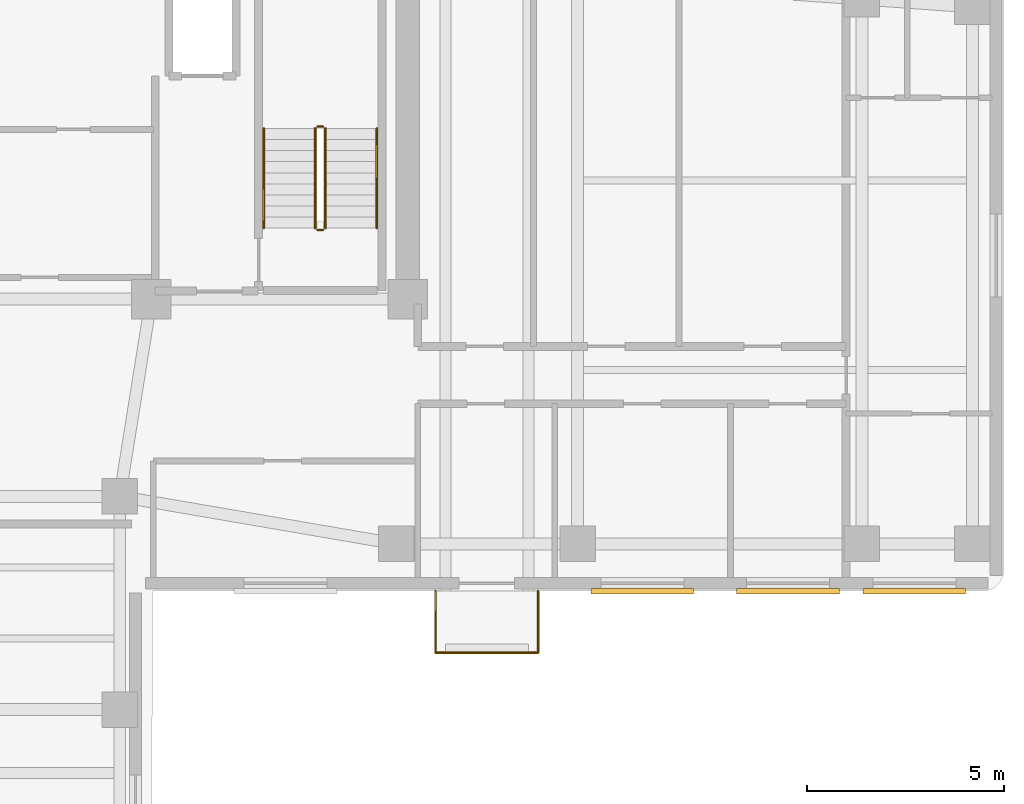
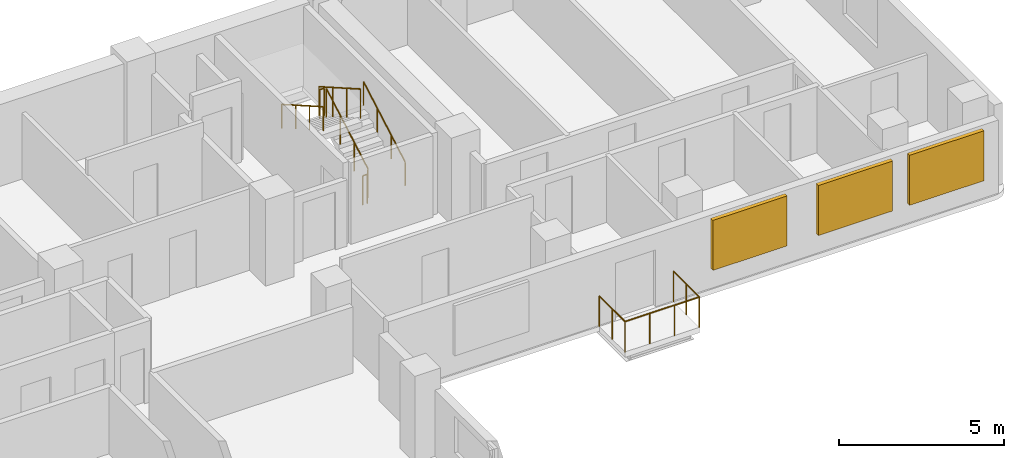
# One storey, part 7 of 7: 9 railings, 3 shading devices.
"""IFC4 building model written with IfcOpenShell, lengths in metres."""

from ifc_helpers import new_model, si_unit, direction, frame, origin, origin_2d, place, context, subcontext, project, spatial, rectangle, circle, extrude, material, layer, layer_set, type_object, element, save


model = new_model("IFC4")

# Units and contexts
model_context = context("Model", 3, precision=1e-05, world=origin(), true_north=direction((0.0, 1.0)))
body_context = subcontext(model_context, "Body", "Model", "MODEL_VIEW")
ifc_project = project(units=[si_unit("LENGTHUNIT", "METRE"), si_unit("AREAUNIT", "SQUARE_METRE"), si_unit("VOLUMEUNIT", "CUBIC_METRE"), si_unit("PLANEANGLEUNIT", "RADIAN"), si_unit("MASSUNIT", "GRAM", prefix="KILO")], contexts=[model_context])

# Site, building, storey
site_placement = place(None, origin())
site = spatial("IfcSite", under=ifc_project, at=site_placement, CompositionType="ELEMENT")
building_placement = place(site_placement, origin())
building = spatial("IfcBuilding", under=site, at=building_placement, Name="Kuzgunbayir Cultural Tower", CompositionType="ELEMENT")
storey_placement = place(building_placement, frame((0.0, 0.0, 172.800048828125)))
storey = spatial("IfcBuildingStorey", under=building, at=storey_placement, Name="L50", CompositionType="ELEMENT", Elevation=172.800048828125)

# Railings
ifc_material_1 = material(Name="Laminated Glass and Stainless Steel", Category="steel")
ifc_layer_1 = layer(ifc_material_1, 0.080078125)
ifc_layer_set_1 = layer_set([ifc_layer_1], Name="Laminated Glass and Stainless Steel")
railing_type_1 = type_object("IfcRailingType", Name="RLG-BAL-115", PredefinedType="BALUSTRADE", material=ifc_layer_set_1)
railing_1_placement = place(storey_placement, frame((27.60009765625, 26.39990234375, 0.0)))
element("IfcRailing", 1, at=railing_1_placement, inside=storey, type_object=railing_type_1, Name="L50 Balcony Guard BAL-L50-WB1 Segment 1", PredefinedType="BALUSTRADE", context=body_context, shape_type="SweptSolid", body=[
    extrude(circle(Radius=0.02392578125, at=origin_2d()), frame((0.0, 0.0, 1.1259765625), z_axis=(0.0, -1.0, 0.0), x_axis=(1.0, 0.0, 0.0)), (0.0, 0.0, 1.0), 1.559814453125),
    extrude(circle(Radius=0.02099609375, at=origin_2d()), origin(), (0.0, 0.0, 1.0), 1.101806640625),
    extrude(circle(Radius=0.02099609375, at=origin_2d()), frame((0.0, -0.77978515625, 0.0)), (0.0, 0.0, 1.0), 1.101806640625),
    extrude(circle(Radius=0.02099609375, at=origin_2d()), frame((0.0, -1.559814453125, 0.0)), (0.0, 0.0, 1.0), 1.101806640625),
])
railing_2_placement = place(storey_placement, frame((27.60009765625, 24.840087890625, 0.0)))
element("IfcRailing", 2, at=railing_2_placement, inside=storey, type_object=railing_type_1, Name="L50 Balcony Guard BAL-L50-WB1 Segment 2", PredefinedType="BALUSTRADE", context=body_context, shape_type="SweptSolid", body=[
    extrude(circle(Radius=0.02392578125, at=origin_2d()), frame((0.0, 0.0, 1.1259765625), z_axis=(1.0, 0.0, 0.0), x_axis=(0.0, 1.0, 0.0)), (0.0, 0.0, 1.0), 2.599853515625),
    extrude(circle(Radius=0.02099609375, at=origin_2d()), origin(), (0.0, 0.0, 1.0), 1.101806640625),
    extrude(circle(Radius=0.02099609375, at=origin_2d()), frame((0.86669921875, 0.0, 0.0)), (0.0, 0.0, 1.0), 1.101806640625),
    extrude(circle(Radius=0.02099609375, at=origin_2d()), frame((1.733154296875, 0.0, 0.0)), (0.0, 0.0, 1.0), 1.101806640625),
    extrude(circle(Radius=0.02099609375, at=origin_2d()), frame((2.599853515625, 0.0, 0.0)), (0.0, 0.0, 1.0), 1.101806640625),
])
railing_3_placement = place(storey_placement, frame((30.199951171875, 24.840087890625, 0.0)))
element("IfcRailing", 3, at=railing_3_placement, inside=storey, type_object=railing_type_1, Name="L50 Balcony Guard BAL-L50-WB1 Segment 3", PredefinedType="BALUSTRADE", context=body_context, shape_type="SweptSolid", body=[
    extrude(circle(Radius=0.02392578125, at=origin_2d()), frame((0.0, 0.0, 1.1259765625), z_axis=(0.0, 1.0, 0.0), x_axis=(-1.0, 0.0, 0.0)), (0.0, 0.0, 1.0), 1.559814453125),
    extrude(circle(Radius=0.02099609375, at=origin_2d()), origin(), (0.0, 0.0, 1.0), 1.101806640625),
    extrude(circle(Radius=0.02099609375, at=origin_2d()), frame((0.0, 0.77978515625, 0.0)), (0.0, 0.0, 1.0), 1.101806640625),
    extrude(circle(Radius=0.02099609375, at=origin_2d()), frame((0.0, 1.559814453125, 0.0)), (0.0, 0.0, 1.0), 1.101806640625),
])
ifc_material_2 = material(Name="Brushed Stainless Steel", Category="steel")
ifc_layer_2 = layer(ifc_material_2, 0.050048828125)
ifc_layer_set_2 = layer_set([ifc_layer_2], Name="Brushed Stainless Steel")
railing_type_2 = type_object("IfcRailingType", Name="RLG-STAIR-HANDRAIL", PredefinedType="HANDRAIL", material=ifc_layer_set_2)
railing_4_placement = place(storey_placement, frame((26.110107421875, 35.60009765625, 0.159912109375)))
element("IfcRailing", 4, at=railing_4_placement, inside=storey, type_object=railing_type_2, Name="L50 ST-2 stair handrail 1", PredefinedType="HANDRAIL", context=body_context, shape_type="SweptSolid", body=[
    extrude(circle(Radius=0.02392578125, at=origin_2d()), frame((0.0, 0.0, 0.8759765625), z_axis=(0.0, 0.868253494771, 0.496120820787), x_axis=(-1.0, 0.0, 0.0)), (0.0, 0.0, 1.0), 2.90234375),
    extrude(circle(Radius=0.02099609375, at=origin_2d()), origin(), (0.0, 0.0, 1.0), 0.851806640625),
    extrude(circle(Radius=0.02099609375, at=origin_2d()), frame((0.0, 0.840087890625, 0.47998046875)), (0.0, 0.0, 1.0), 0.851806640625),
    extrude(circle(Radius=0.02099609375, at=origin_2d()), frame((0.0, 1.679931640625, 0.9599609375)), (0.0, 0.0, 1.0), 0.851806640625),
    extrude(circle(Radius=0.02099609375, at=origin_2d()), frame((0.0, 2.52001953125, 1.43994140625)), (0.0, 0.0, 1.0), 0.851806640625),
])
railing_5_placement = place(storey_placement, frame((23.25, 38.1201171875, 1.760009765625)))
element("IfcRailing", 5, at=railing_5_placement, inside=storey, type_object=railing_type_2, Name="L50 ST-2 stair handrail 2", PredefinedType="HANDRAIL", context=body_context, shape_type="SweptSolid", body=[
    extrude(circle(Radius=0.02392578125, at=origin_2d()), frame((0.0, 0.0, 0.8759765625), z_axis=(0.0, -0.868253494771, 0.496120820787), x_axis=(1.0, 0.0, 0.0)), (0.0, 0.0, 1.0), 2.90234375),
    extrude(circle(Radius=0.02099609375, at=origin_2d()), origin(), (0.0, 0.0, 1.0), 0.851806640625),
    extrude(circle(Radius=0.02099609375, at=origin_2d()), frame((0.0, -0.840087890625, 0.47998046875)), (0.0, 0.0, 1.0), 0.851806640625),
    extrude(circle(Radius=0.02099609375, at=origin_2d()), frame((0.0, -1.679931640625, 0.9599609375)), (0.0, 0.0, 1.0), 0.851806640625),
    extrude(circle(Radius=0.02099609375, at=origin_2d()), frame((0.0, -2.52001953125, 1.43994140625)), (0.0, 0.0, 1.0), 0.851806640625),
])
ifc_material_3 = material(Name="Painted Steel Balustrade", Category="steel")
ifc_layer_3 = layer(ifc_material_3, 0.06005859375)
ifc_layer_set_3 = layer_set([ifc_layer_3], Name="Painted Steel Balustrade")
railing_type_3 = type_object("IfcRailingType", Name="RLG-WELL-GUARD", PredefinedType="GUARDRAIL", material=ifc_layer_set_3)
railing_6_placement = place(storey_placement, frame((24.81005859375, 35.60009765625, 0.159912109375)))
element("IfcRailing", 6, at=railing_6_placement, inside=storey, type_object=railing_type_3, Name="L50 ST-2 stair guard 1", PredefinedType="GUARDRAIL", context=body_context, shape_type="SweptSolid", body=[
    extrude(circle(Radius=0.02392578125, at=origin_2d()), frame((0.0, 0.0, 1.076171875), z_axis=(0.0, 0.868253494771, 0.496120820787), x_axis=(-1.0, 0.0, 0.0)), (0.0, 0.0, 1.0), 2.90234375),
    extrude(circle(Radius=0.02099609375, at=origin_2d()), origin(), (0.0, 0.0, 1.0), 1.052001953125),
    extrude(circle(Radius=0.02099609375, at=origin_2d()), frame((0.0, 0.840087890625, 0.47998046875)), (0.0, 0.0, 1.0), 1.052001953125),
    extrude(circle(Radius=0.02099609375, at=origin_2d()), frame((0.0, 1.679931640625, 0.9599609375)), (0.0, 0.0, 1.0), 1.052001953125),
    extrude(circle(Radius=0.02099609375, at=origin_2d()), frame((0.0, 2.52001953125, 1.43994140625)), (0.0, 0.0, 1.0), 1.052001953125),
])
railing_7_placement = place(storey_placement, frame((24.760009765625, 38.169921875, 1.599853515625)))
element("IfcRailing", 7, at=railing_7_placement, inside=storey, type_object=railing_type_3, Name="L50 ST-2 stair guard 2", PredefinedType="GUARDRAIL", context=body_context, shape_type="SweptSolid", body=[
    extrude(circle(Radius=0.02392578125, at=origin_2d()), frame((0.0, 0.0, 1.076171875), z_axis=(-1.0, 0.0, 0.0), x_axis=(0.0, -1.0, 0.0)), (0.0, 0.0, 1.0), 0.159912109375),
    extrude(circle(Radius=0.02099609375, at=origin_2d()), origin(), (0.0, 0.0, 1.0), 1.052001953125),
    extrude(circle(Radius=0.02099609375, at=origin_2d()), frame((-0.159912109375, 0.0, 0.0)), (0.0, 0.0, 1.0), 1.052001953125),
])
railing_8_placement = place(storey_placement, frame((24.550048828125, 38.1201171875, 1.760009765625)))
element("IfcRailing", 8, at=railing_8_placement, inside=storey, type_object=railing_type_3, Name="L50 ST-2 stair guard 3", PredefinedType="GUARDRAIL", context=body_context, shape_type="SweptSolid", body=[
    extrude(circle(Radius=0.02392578125, at=origin_2d()), frame((0.0, 0.0, 1.076171875), z_axis=(0.0, -0.868253494771, 0.496120820787), x_axis=(1.0, 0.0, 0.0)), (0.0, 0.0, 1.0), 2.90234375),
    extrude(circle(Radius=0.02099609375, at=origin_2d()), origin(), (0.0, 0.0, 1.0), 1.052001953125),
    extrude(circle(Radius=0.02099609375, at=origin_2d()), frame((0.0, -0.840087890625, 0.47998046875)), (0.0, 0.0, 1.0), 1.052001953125),
    extrude(circle(Radius=0.02099609375, at=origin_2d()), frame((0.0, -1.679931640625, 0.9599609375)), (0.0, 0.0, 1.0), 1.052001953125),
    extrude(circle(Radius=0.02099609375, at=origin_2d()), frame((0.0, -2.52001953125, 1.43994140625)), (0.0, 0.0, 1.0), 1.052001953125),
])
railing_9_placement = place(storey_placement, frame((24.760009765625, 35.550048828125, 0.0)))
element("IfcRailing", 9, at=railing_9_placement, inside=storey, type_object=railing_type_3, Name="L50 ST-2 stair guard 4", PredefinedType="GUARDRAIL", context=body_context, shape_type="SweptSolid", body=[
    extrude(circle(Radius=0.02392578125, at=origin_2d()), frame((0.0, 0.0, 1.076171875), z_axis=(-1.0, 0.0, 0.0), x_axis=(0.0, -1.0, 0.0)), (0.0, 0.0, 1.0), 0.159912109375),
    extrude(circle(Radius=0.02099609375, at=origin_2d()), origin(), (0.0, 0.0, 1.0), 1.052001953125),
    extrude(circle(Radius=0.02099609375, at=origin_2d()), frame((-0.159912109375, 0.0, 0.0)), (0.0, 0.0, 1.0), 1.052001953125),
])

# Shading devices
ifc_material_4 = material(Name="Perforated Bronze-Anodised Aluminium", Category="aluminium")
shading_device_type = type_object("IfcShadingDeviceType", Name="SHD-SOLAR-BRONZE", PredefinedType="JALOUSIE", material=ifc_material_4)
for number, where, z_axis, x_axis, name in (
    (10, (39.72998046875, 26.39990234375, 0.73486328125), (0.0, 0.0, 1.0), (1.0, 0.0, 0.0), "L50 Solar Screen WBS8"),
    (11, (32.840087890625, 26.39990234375, 0.73486328125), (0.0, 0.0, 1.0), (1.0, 0.0, 0.0), "L50 Solar Screen WBS11"),
    (12, (36.530029296875, 26.39990234375, 0.73486328125), (0.0, 0.0, 1.0), (1.0, 0.0, 0.0), "L50 Solar Screen WBS12"),
):
    element("IfcShadingDevice", number, at=place(storey_placement, frame(where, z_axis=z_axis, x_axis=x_axis)), inside=storey, type_object=shading_device_type, Name=name, PredefinedType="JALOUSIE", context=body_context, shape_type="SweptSolid", body=[
        extrude(rectangle(XDim=2.60009765625, YDim=0.139892578125, at=origin_2d()), origin(), (0.0, 0.0, 1.0), 1.85009765625),
    ])

save(model, "model.ifc")
